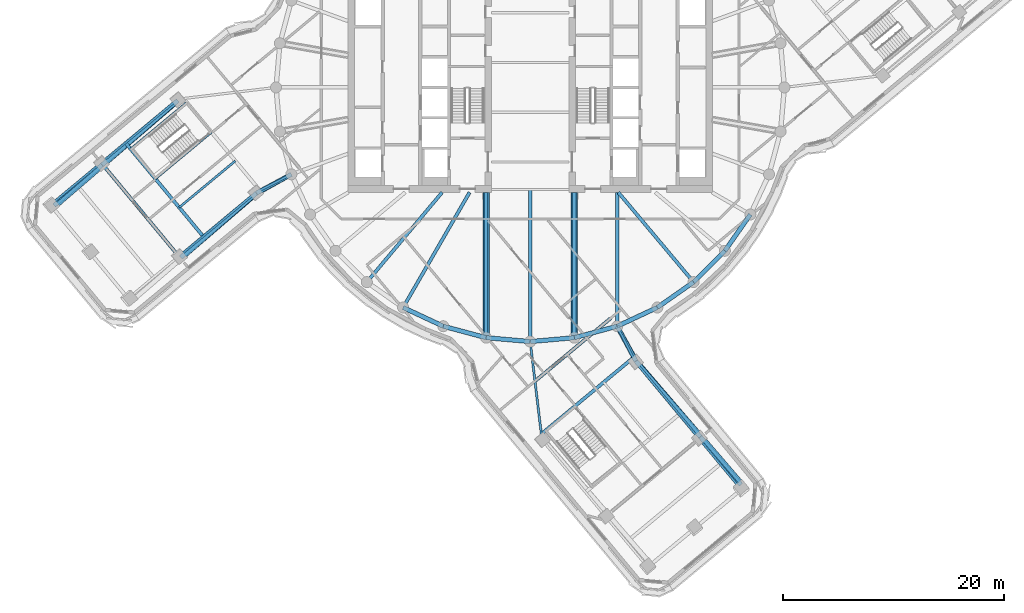
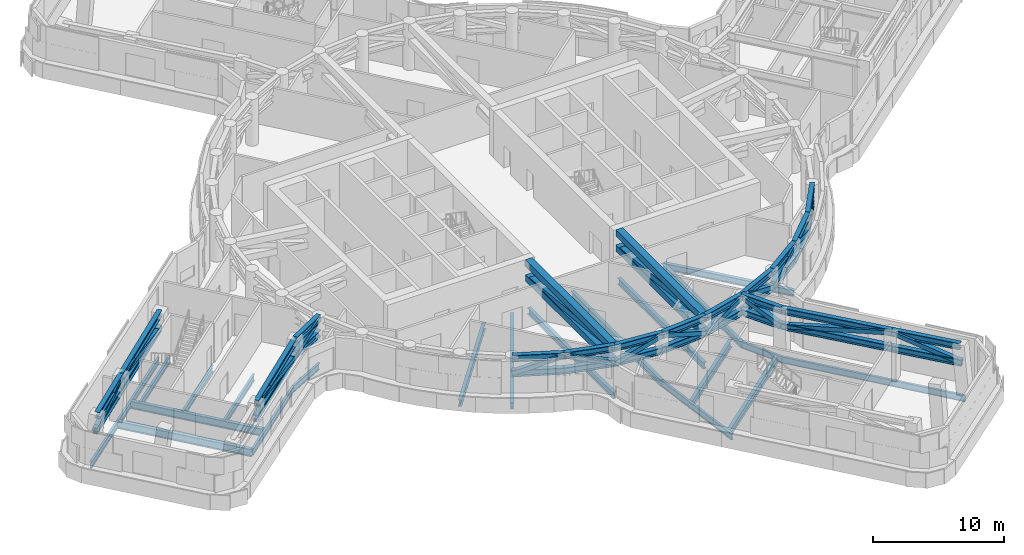
# One storey, part 2 of 22: 54 members, 22 beams.
"""IFC4 building model written with IfcOpenShell, lengths in metres."""

import ifcopenshell
import ifcopenshell.guid

model = None  # the IFC model being written
_history = None  # IfcOwnerHistory: only IFC2X3 demands one
_inside = {}  # id of a spatial element -> (the spatial element, [elements in it])
_under = {}  # id of a project, library or spatial element -> (it, [spatial elements below it])
_declared = {}  # id of a project -> (the project, [libraries it declares])
_typed = {}  # id of a type object -> (the type object, [elements of that type])
_made_of = {}  # id of a material, layer set ... -> (it, [elements and type objects made of it])


def new_model(schema):
    """Start an empty IFC model of exactly this schema.

    Asked for "IFC4X3", IfcOpenShell would pick the latest addendum, in which some entities
    have other attributes; the version numbers below select the first issue.
    IFC2X3 requires an IfcOwnerHistory on every rooted entity: one is made here for all.
    """
    global model, _history
    if schema == "IFC4X3":
        model = ifcopenshell.file(schema_version=(4, 3, 0, 0))
    else:
        model = ifcopenshell.file(schema=schema)
    _inside.clear()
    _under.clear()
    _declared.clear()
    _typed.clear()
    _made_of.clear()
    _history = None
    if model.schema == "IFC2X3":
        org = make("IfcOrganization", Name="unknown")
        user = make(
            "IfcPersonAndOrganization",
            ThePerson=make("IfcPerson", FamilyName="unknown"),
            TheOrganization=org,
        )
        app = make(
            "IfcApplication",
            ApplicationDeveloper=org,
            Version="unknown",
            ApplicationFullName="unknown",
            ApplicationIdentifier="unknown",
        )
        _history = make(
            "IfcOwnerHistory",
            OwningUser=user,
            OwningApplication=app,
            ChangeAction="ADDED",
            CreationDate=0,
        )
    return model


def make(cls, **values):
    """One entity of the class cls with the attributes given. An attribute that is None is left unset."""
    return model.create_entity(
        cls, **{name: value for name, value in values.items() if value is not None}
    )


def rooted(cls, **values):
    """An entity with a GlobalId (a new one), such as an element, a storey or a relation."""
    return make(cls, GlobalId=ifcopenshell.guid.new(), OwnerHistory=_history, **values)


def si_unit(unit_type, name, prefix=None):
    """IfcSIUnit, for example si_unit("LENGTHUNIT", "METRE", prefix="MILLI")."""
    return make("IfcSIUnit", UnitType=unit_type, Prefix=prefix, Name=name)


def assignment(units):
    """IfcUnitAssignment: the units of a project."""
    return None if units is None else make("IfcUnitAssignment", Units=units)


def point(xyz):
    """IfcCartesianPoint."""
    return None if xyz is None else make("IfcCartesianPoint", Coordinates=xyz)


def direction(xyz):
    """IfcDirection."""
    return None if xyz is None else make("IfcDirection", DirectionRatios=xyz)


def frame(location, z_axis=None, x_axis=None):
    """IfcAxis2Placement3D, a coordinate frame: its origin and axes. An axis left out is left unset."""
    return make(
        "IfcAxis2Placement3D",
        Location=point(location),
        Axis=direction(z_axis),
        RefDirection=direction(x_axis),
    )


def frame_2d(location, x_axis=None):
    """IfcAxis2Placement2D, a coordinate frame in the plane: its origin and x axis."""
    return make(
        "IfcAxis2Placement2D", Location=point(location), RefDirection=direction(x_axis)
    )


def origin():
    """The frame at (0, 0, 0) with its axes left unset."""
    return frame((0.0, 0.0, 0.0))


def origin_2d():
    """The frame at (0, 0) in the plane with its x axis left unset."""
    return frame_2d((0.0, 0.0))


def place(relative_to, where):
    """IfcLocalPlacement: puts the frame where relative to a parent placement (None: the world)."""
    return make(
        "IfcLocalPlacement", PlacementRelTo=relative_to, RelativePlacement=where
    )


def context(
    kind, dimensions, precision=None, world=None, true_north=None, identifier=None
):
    """IfcGeometricRepresentationContext, for example the 3D "Model" context."""
    return make(
        "IfcGeometricRepresentationContext",
        ContextIdentifier=identifier,
        ContextType=kind,
        CoordinateSpaceDimension=dimensions,
        Precision=precision,
        WorldCoordinateSystem=world,
        TrueNorth=true_north,
    )


def subcontext(parent, identifier, kind, view, scale=None):
    """IfcGeometricRepresentationSubContext, for example "Body" below "Model"."""
    return make(
        "IfcGeometricRepresentationSubContext",
        ContextIdentifier=identifier,
        ContextType=kind,
        ParentContext=parent,
        TargetScale=scale,
        TargetView=view,
    )


def project(units=None, contexts=None):
    """IfcProject with its units and contexts."""
    return rooted(
        "IfcProject",
        Name="project",
        RepresentationContexts=contexts,
        UnitsInContext=assignment(units),
    )


def spatial(cls, under=None, at=None, **own):
    """A site, building, storey or space (cls), placed at a placement, below another one or the project."""
    s = rooted(cls, ObjectPlacement=at, **own)
    if under is not None:
        _under.setdefault(under.id(), (under, []))[1].append(s)
    return s


def profile(cls, at=None, kind="AREA", **sizes):
    """A parametric profile (cls). Its sizes go by their IFC names, for example OverallWidth=200.0."""
    return make(cls, ProfileType=kind, Position=at, **sizes)


def hollow_rectangle(**sizes):
    """IfcRectangleHollowProfileDef."""
    return profile("IfcRectangleHollowProfileDef", **sizes)


def i_section(**sizes):
    """IfcIShapeProfileDef."""
    return profile("IfcIShapeProfileDef", **sizes)


def extrude(swept, where, along, depth):
    """IfcExtrudedAreaSolid: the profile swept, set in the frame where, extruded along a direction by depth."""
    return make(
        "IfcExtrudedAreaSolid",
        SweptArea=swept,
        Position=where,
        ExtrudedDirection=direction(along),
        Depth=depth,
    )


def shape(context_of_items, identifier, shape_type, items):
    """IfcShapeRepresentation: the items that make up one representation, for example the "Body"."""
    return make(
        "IfcShapeRepresentation",
        ContextOfItems=context_of_items,
        RepresentationIdentifier=identifier,
        RepresentationType=shape_type,
        Items=items,
    )


def material(Name=None, Category=None):
    """IfcMaterial."""
    return make("IfcMaterial", Name=Name, Category=Category)


def material_profile(
    of_material, cross_section, Name=None, Category=None, Priority=None
):
    """IfcMaterialProfile: a cross section and its material."""
    return make(
        "IfcMaterialProfile",
        Name=Name,
        Material=of_material,
        Profile=cross_section,
        Priority=Priority,
        Category=Category,
    )


def profile_set(profiles, Name=None, composite=None):
    """IfcMaterialProfileSet."""
    return make(
        "IfcMaterialProfileSet",
        Name=Name,
        MaterialProfiles=profiles,
        CompositeProfile=composite,
    )


def made_of(thing, what):
    """Note that an element or type object is made of a material, layer set ...; save() writes the relation."""
    if what is not None:
        _made_of.setdefault(what.id(), (what, []))[1].append(thing)
    return thing


def type_object(cls, material=None, **own):
    """A type object (cls), such as IfcWallType, which elements share."""
    return made_of(rooted(cls, **own), material)


def element(
    cls,
    number,
    at=None,
    inside=None,
    cuts=None,
    type_object=None,
    material=None,
    context=None,
    identifier="Body",
    shape_type=None,
    held_by="IfcProductDefinitionShape",
    body=None,
    shapes=None,
    **own,
):
    """One element of the class cls, such as IfcWall. Its Tag is "e" and its number.

    at: its placement. inside: the storey or other place that contains it. cuts: it is an
    opening in that element (IfcRelVoidsElement). A single representation is given by context,
    identifier, shape_type and body (its items); several are given by shapes. held_by: the class
    of the entity that holds the representations. save() writes the other relations.
    """
    e = rooted(cls, Tag="e%d" % number, ObjectPlacement=at, **own)
    if body is not None:
        shapes = [shape(context, identifier, shape_type, body)]
    if shapes is not None:
        e.Representation = make(held_by, Representations=shapes)
    if inside is not None:
        _inside.setdefault(inside.id(), (inside, []))[1].append(e)
    if cuts is not None:
        rooted(
            "IfcRelVoidsElement", RelatingBuildingElement=cuts, RelatedOpeningElement=e
        )
    if type_object is not None:
        _typed.setdefault(type_object.id(), (type_object, []))[1].append(e)
    return made_of(e, material)


def aggregate(whole, parts):
    """IfcRelAggregates: a whole, such as a stair, and the parts it consists of."""
    return rooted("IfcRelAggregates", RelatingObject=whole, RelatedObjects=parts)


def save(model, path):
    """Write the relations noted so far, then the file.

    IfcRelAggregates (storeys below a building ...), IfcRelContainedInSpatialStructure (elements
    in a storey), IfcRelDefinesByType, IfcRelAssociatesMaterial and IfcRelDeclares: one each for
    every whole, place, type object, material and project.
    """
    for whole, parts in _under.values():
        aggregate(whole, parts)
    for where, things in _inside.values():
        rooted(
            "IfcRelContainedInSpatialStructure",
            RelatedElements=things,
            RelatingStructure=where,
        )
    for kind, things in _typed.values():
        rooted("IfcRelDefinesByType", RelatedObjects=things, RelatingType=kind)
    for what, things in _made_of.values():
        rooted("IfcRelAssociatesMaterial", RelatedObjects=things, RelatingMaterial=what)
    for by, libraries in _declared.values():
        rooted("IfcRelDeclares", RelatingContext=by, RelatedDefinitions=libraries)
    model.write(path)


model = new_model("IFC4")

# Units and contexts
model_context = context("Model", 3, precision=1e-05, world=origin(), true_north=direction((0.0, 1.0)))
body_context = subcontext(model_context, "Body", "Model", "MODEL_VIEW")
ifc_project = project(units=[si_unit("LENGTHUNIT", "METRE"), si_unit("AREAUNIT", "SQUARE_METRE"), si_unit("VOLUMEUNIT", "CUBIC_METRE"), si_unit("PLANEANGLEUNIT", "RADIAN"), si_unit("MASSUNIT", "GRAM", prefix="KILO")], contexts=[model_context])

# Site, building, storey
site_placement = place(None, origin())
site = spatial("IfcSite", under=ifc_project, at=site_placement, CompositionType="ELEMENT")
building_placement = place(site_placement, origin())
building = spatial("IfcBuilding", under=site, at=building_placement, Name="Tamarind Cross Interchange Tower", CompositionType="ELEMENT")
storey_placement = place(building_placement, frame((0.0, 0.0, 178.0)))
storey = spatial("IfcBuildingStorey", under=building, at=storey_placement, Name="L44", CompositionType="ELEMENT", Elevation=178.0)

# Beams
ifc_material_1 = material(Name="Steel Q355B", Category="steel")
ifc_material_profile_1 = material_profile(ifc_material_1, i_section(OverallWidth=0.302001953125, OverallDepth=0.593994140625, WebThickness=0.013916015625, FlangeThickness=0.02294921875, FilletRadius=0.01806640625, at=origin_2d()), Name="HM 594x302x14x23")
ifc_profile_set_1 = profile_set([ifc_material_profile_1], Name="Steel Q355B")
beam_type_1 = type_object("IfcBeamType", Name="Composite beam HM 594x302x14x23 Q355B", PredefinedType="BEAM", material=ifc_profile_set_1)
beam_1_placement = place(storey_placement, frame((-14.7841796875, -17.619140625, -0.47705078125), z_axis=(0.642786293979, 0.766045547127, 0.0), x_axis=(-0.766045547127, 0.642786293979, 0.0)))
element("IfcBeam", 1, at=beam_1_placement, inside=storey, type_object=beam_type_1, Name="Beam HH23", PredefinedType="BEAM", context=body_context, shape_type="SweptSolid", body=[
    extrude(i_section(OverallWidth=0.302001953125, OverallDepth=0.593994140625, WebThickness=0.013916015625, FlangeThickness=0.02294921875, FilletRadius=0.01806640625, at=origin_2d()), origin(), (0.0, 0.0, 1.0), 10.598876953125),
])
beam_2_placement = place(storey_placement, frame((-11.5, -19.918701171875, -0.47705078125), z_axis=(0.499993565836, 0.866029118519, 0.0), x_axis=(-0.866029118519, 0.499993565836, 0.0)))
element("IfcBeam", 2, at=beam_2_placement, inside=storey, type_object=beam_type_1, Name="Beam HH24", PredefinedType="BEAM", context=body_context, shape_type="SweptSolid", body=[
    extrude(i_section(OverallWidth=0.302001953125, OverallDepth=0.593994140625, WebThickness=0.013916015625, FlangeThickness=0.02294921875, FilletRadius=0.01806640625, at=origin_2d()), origin(), (0.0, 0.0, 1.0), 12.030517578125),
])
beam_3_placement = place(storey_placement, frame((-3.993896484375, -22.650634765625, -0.47705078125), z_axis=(0.0, 1.0, 0.0), x_axis=(-1.0, 0.0, 0.0)))
element("IfcBeam", 3, at=beam_3_placement, inside=storey, type_object=beam_type_1, Name="Beam HH26", PredefinedType="BEAM", context=body_context, shape_type="SweptSolid", body=[
    extrude(i_section(OverallWidth=0.302001953125, OverallDepth=0.593994140625, WebThickness=0.013916015625, FlangeThickness=0.02294921875, FilletRadius=0.01806640625, at=origin_2d()), origin(), (0.0, 0.0, 1.0), 13.150634765625),
])
beam_4_placement = place(storey_placement, frame((0.0, -23.0, -0.47705078125), z_axis=(0.0, 1.0, 0.0), x_axis=(-1.0, 0.0, 0.0)))
element("IfcBeam", 4, at=beam_4_placement, inside=storey, type_object=beam_type_1, Name="Beam HH27", PredefinedType="BEAM", context=body_context, shape_type="SweptSolid", body=[
    extrude(i_section(OverallWidth=0.302001953125, OverallDepth=0.593994140625, WebThickness=0.013916015625, FlangeThickness=0.02294921875, FilletRadius=0.01806640625, at=origin_2d()), origin(), (0.0, 0.0, 1.0), 13.75),
])
beam_5_placement = place(storey_placement, frame((3.993896484375, -22.650634765625, -0.47705078125), z_axis=(0.0, 1.0, 0.0), x_axis=(-1.0, 0.0, 0.0)))
element("IfcBeam", 5, at=beam_5_placement, inside=storey, type_object=beam_type_1, Name="Beam HH28", PredefinedType="BEAM", context=body_context, shape_type="SweptSolid", body=[
    extrude(i_section(OverallWidth=0.302001953125, OverallDepth=0.593994140625, WebThickness=0.013916015625, FlangeThickness=0.02294921875, FilletRadius=0.01806640625, at=origin_2d()), origin(), (0.0, 0.0, 1.0), 13.150634765625),
])
beam_6_placement = place(storey_placement, frame((7.866455078125, -21.613037109375, -0.47705078125), z_axis=(0.0, 1.0, 0.0), x_axis=(-1.0, 0.0, 0.0)))
element("IfcBeam", 6, at=beam_6_placement, inside=storey, type_object=beam_type_1, Name="Beam HH29", PredefinedType="BEAM", context=body_context, shape_type="SweptSolid", body=[
    extrude(i_section(OverallWidth=0.302001953125, OverallDepth=0.593994140625, WebThickness=0.013916015625, FlangeThickness=0.02294921875, FilletRadius=0.01806640625, at=origin_2d()), origin(), (0.0, 0.0, 1.0), 12.113037109375),
])
beam_7_placement = place(storey_placement, frame((14.7841796875, -17.619140625, -0.47705078125), z_axis=(-0.642786293979, 0.766045547127, 0.0), x_axis=(-0.766045547127, -0.642786293979, 0.0)))
element("IfcBeam", 7, at=beam_7_placement, inside=storey, type_object=beam_type_1, Name="Beam HH31", PredefinedType="BEAM", context=body_context, shape_type="SweptSolid", body=[
    extrude(i_section(OverallWidth=0.302001953125, OverallDepth=0.593994140625, WebThickness=0.013916015625, FlangeThickness=0.02294921875, FilletRadius=0.01806640625, at=origin_2d()), origin(), (0.0, 0.0, 1.0), 10.598876953125),
])
ifc_material_profile_2 = material_profile(ifc_material_1, i_section(OverallWidth=0.199951171875, OverallDepth=0.60009765625, WebThickness=0.010986328125, FlangeThickness=0.01708984375, FilletRadius=0.012939453125, at=origin_2d()), Name="HN 600x200x11x17")
ifc_profile_set_2 = profile_set([ifc_material_profile_2], Name="Steel Q355B")
beam_type_2 = type_object("IfcBeamType", Name="Composite beam HN 600x200x11x17 Q355B", PredefinedType="BEAM", material=ifc_profile_set_2)
beam_8_placement = place(storey_placement, frame((19.095458984375, -36.388671875, -0.47998046875), z_axis=(-0.638803347594, 0.769370056022, 0.0), x_axis=(-0.769370056022, -0.638803347594, 0.0)))
element("IfcBeam", 8, at=beam_8_placement, inside=storey, type_object=beam_type_2, Name="Beam S-edgeep2", PredefinedType="BEAM", context=body_context, shape_type="SweptSolid", body=[
    extrude(i_section(OverallWidth=0.199951171875, OverallDepth=0.60009765625, WebThickness=0.010986328125, FlangeThickness=0.01708984375, FilletRadius=0.012939453125, at=origin_2d()), origin(), (0.0, 0.0, 1.0), 5.968505859375),
])
beam_9_placement = place(storey_placement, frame((15.28271484375, -31.796630859375, -0.47998046875), z_axis=(-0.638790523105, 0.769380703937, 0.0), x_axis=(-0.769380703937, -0.638790523105, 0.0)))
element("IfcBeam", 9, at=beam_9_placement, inside=storey, type_object=beam_type_2, Name="Beam S-edgeep3", PredefinedType="BEAM", context=body_context, shape_type="SweptSolid", body=[
    extrude(i_section(OverallWidth=0.199951171875, OverallDepth=0.60009765625, WebThickness=0.010986328125, FlangeThickness=0.01708984375, FilletRadius=0.012939453125, at=origin_2d()), origin(), (0.0, 0.0, 1.0), 8.999755859375),
])
beam_10_placement = place(storey_placement, frame((1.070556640625, -31.899169921875, -0.47998046875), z_axis=(-0.119437354929, 0.992841738772, 0.0), x_axis=(-0.992841738772, -0.119437354929, 0.0)))
element("IfcBeam", 10, at=beam_10_placement, inside=storey, type_object=beam_type_2, Name="Beam S-linkem", PredefinedType="BEAM", context=body_context, shape_type="SweptSolid", body=[
    extrude(i_section(OverallWidth=0.199951171875, OverallDepth=0.60009765625, WebThickness=0.010986328125, FlangeThickness=0.01708984375, FilletRadius=0.012939453125, at=origin_2d()), origin(), (0.0, 0.0, 1.0), 8.96337890625),
])
beam_11_placement = place(storey_placement, frame((9.53369140625, -24.872314453125, -0.47998046875), z_axis=(-0.455410658908, 0.890281490178, 0.0), x_axis=(-0.890281490178, -0.455410658908, 0.0)))
element("IfcBeam", 11, at=beam_11_placement, inside=storey, type_object=beam_type_2, Name="Beam S-linkep", PredefinedType="BEAM", context=body_context, shape_type="SweptSolid", body=[
    extrude(i_section(OverallWidth=0.199951171875, OverallDepth=0.60009765625, WebThickness=0.010986328125, FlangeThickness=0.01708984375, FilletRadius=0.012939453125, at=origin_2d()), origin(), (0.0, 0.0, 1.0), 3.660888671875),
])
beam_12_placement = place(storey_placement, frame((-43.41552734375, -10.63232421875, -0.47998046875), z_axis=(0.769370056022, 0.638803347594, 0.0), x_axis=(-0.638803347594, 0.769370056022, 0.0)))
element("IfcBeam", 12, at=beam_12_placement, inside=storey, type_object=beam_type_2, Name="Beam W-edgeem5", PredefinedType="BEAM", context=body_context, shape_type="SweptSolid", body=[
    extrude(i_section(OverallWidth=0.199951171875, OverallDepth=0.60009765625, WebThickness=0.010986328125, FlangeThickness=0.01708984375, FilletRadius=0.012939453125, at=origin_2d()), origin(), (0.0, 0.0, 1.0), 5.968505859375),
])
for number, where, z_axis, x_axis, name in (
    (13, (-38.823486328125, -6.819580078125, -0.47998046875), (0.769380703937, 0.638790523105, 0.0), (-0.638790523105, 0.769380703937, 0.0), "Beam W-edgeem6"),
    (14, (-31.796630859375, -15.28271484375, -0.47998046875), (0.769380703937, 0.638790523105, 0.0), (-0.638790523105, 0.769380703937, 0.0), "Beam W-edgeep3"),
):
    element("IfcBeam", number, at=place(storey_placement, frame(where, z_axis=z_axis, x_axis=x_axis)), inside=storey, type_object=beam_type_2, Name=name, PredefinedType="BEAM", context=body_context, shape_type="SweptSolid", body=[
        extrude(i_section(OverallWidth=0.199951171875, OverallDepth=0.60009765625, WebThickness=0.010986328125, FlangeThickness=0.01708984375, FilletRadius=0.012939453125, at=origin_2d()), origin(), (0.0, 0.0, 1.0), 8.999755859375),
    ])
beam_13_placement = place(storey_placement, frame((-24.872314453125, -9.53369140625, -0.47998046875), z_axis=(0.890281490178, 0.455410658908, 0.0), x_axis=(-0.455410658908, 0.890281490178, 0.0)))
element("IfcBeam", 15, at=beam_13_placement, inside=storey, type_object=beam_type_2, Name="Beam W-linkep", PredefinedType="BEAM", context=body_context, shape_type="SweptSolid", body=[
    extrude(i_section(OverallWidth=0.199951171875, OverallDepth=0.60009765625, WebThickness=0.010986328125, FlangeThickness=0.01708984375, FilletRadius=0.012939453125, at=origin_2d()), origin(), (0.0, 0.0, 1.0), 3.660888671875),
])
for number, where, z_axis, x_axis, name in (
    (16, (-31.073974609375, -1.360107421875, -0.47998046875), (-0.769375238735, -0.63879710552, 0.0), (0.63879710552, -0.769375238735, 0.0), "Beam W-tr0"),
    (17, (-28.838134765625, -4.052978515625, -0.47998046875), (-0.769375238735, -0.63879710552, 0.0), (0.63879710552, -0.769375238735, 0.0), "Beam W-tr1"),
    (18, (-26.68212890625, -6.6494140625, -0.47998046875), (-0.769375238735, -0.63879710552, 0.0), (0.63879710552, -0.769375238735, 0.0), "Beam W-stripp"),
):
    element("IfcBeam", number, at=place(storey_placement, frame(where, z_axis=z_axis, x_axis=x_axis)), inside=storey, type_object=beam_type_2, Name=name, PredefinedType="BEAM", context=body_context, shape_type="SweptSolid", body=[
        extrude(i_section(OverallWidth=0.199951171875, OverallDepth=0.60009765625, WebThickness=0.010986328125, FlangeThickness=0.01708984375, FilletRadius=0.012939453125, at=origin_2d()), origin(), (0.0, 0.0, 1.0), 6.60009765625),
    ])
ifc_material_profile_3 = material_profile(ifc_material_1, i_section(OverallWidth=0.300048828125, OverallDepth=0.699951171875, WebThickness=0.012939453125, FlangeThickness=0.02392578125, FilletRadius=0.01806640625, at=origin_2d()), Name="HN 700x300x13x24")
ifc_profile_set_3 = profile_set([ifc_material_profile_3], Name="Steel Q355B")
beam_type_3 = type_object("IfcBeamType", Name="Composite beam HN 700x300x13x24 Q355B", PredefinedType="BEAM", material=ifc_profile_set_3)
beam_14_placement = place(storey_placement, frame((1.006591796875, -31.367431640625, -0.530029296875), z_axis=(0.769367788137, 0.638806079007, 0.0), x_axis=(-0.638806079007, 0.769367788137, 0.0)))
element("IfcBeam", 19, at=beam_14_placement, inside=storey, type_object=beam_type_3, Name="Beam S-x298", PredefinedType="BEAM", context=body_context, shape_type="SweptSolid", body=[
    extrude(i_section(OverallWidth=0.300048828125, OverallDepth=0.699951171875, WebThickness=0.012939453125, FlangeThickness=0.02392578125, FilletRadius=0.01806640625, at=origin_2d()), origin(), (0.0, 0.0, 1.0), 10.81005859375),
])
for number, where, z_axis, x_axis, name in (
    (20, (-36.630859375, -4.9990234375, -0.530029296875), (0.638801484764, -0.769371602715, 0.0), (0.769371602715, 0.638801484764, 0.0), "Beam W-x364"),
    (21, (-38.823486328125, -6.819580078125, -0.530029296875), (0.638801484764, -0.769371602715, 0.0), (0.769371602715, 0.638801484764, 0.0), "Beam W-x393"),
):
    element("IfcBeam", number, at=place(storey_placement, frame(where, z_axis=z_axis, x_axis=x_axis)), inside=storey, type_object=beam_type_3, Name=name, PredefinedType="BEAM", context=body_context, shape_type="SweptSolid", body=[
        extrude(i_section(OverallWidth=0.300048828125, OverallDepth=0.699951171875, WebThickness=0.012939453125, FlangeThickness=0.02392578125, FilletRadius=0.01806640625, at=origin_2d()), origin(), (0.0, 0.0, 1.0), 11.0),
    ])
beam_15_placement = place(storey_placement, frame((0.430908203125, -26.581298828125, -0.530029296875), z_axis=(0.769371958793, 0.638801055904, 0.0), x_axis=(-0.638801055904, 0.769371958793, 0.0)))
element("IfcBeam", 22, at=beam_15_placement, inside=storey, type_object=beam_type_3, Name="Beam S-x258", PredefinedType="BEAM", context=body_context, shape_type="SweptSolid", body=[
    extrude(i_section(OverallWidth=0.300048828125, OverallDepth=0.699951171875, WebThickness=0.012939453125, FlangeThickness=0.02392578125, FilletRadius=0.01806640625, at=origin_2d()), origin(), (0.0, 0.0, 1.0), 8.89453125),
])

# Members
ifc_material_2 = material(Name="Steel Q420B", Category="steel")
ifc_material_profile_4 = material_profile(ifc_material_2, i_section(OverallWidth=0.39990234375, OverallDepth=0.60009765625, WebThickness=0.02490234375, FlangeThickness=0.0400390625, at=origin_2d()), Name="BH 600x400x25x40")
ifc_profile_set_4 = profile_set([ifc_material_profile_4], Name="Steel Q420B")
member_type_1 = type_object("IfcMemberType", Name="Truss chord BH 600x400x25x40 Q420B", PredefinedType="CHORD", material=ifc_profile_set_4)
for number, where, z_axis, x_axis, name in (
    (23, (-11.5, -19.918701171875, 4.06005859375), (0.906309113636, -0.422615416827, 0.0), (0.422615416827, 0.906309113636, 0.0), "Belt truss ring top H24"),
    (24, (-11.5, -19.918701171875, 2.64990234375), (0.906309113636, -0.422615416827, 0.0), (0.422615416827, 0.906309113636, 0.0), "Belt truss ring bottom H24"),
):
    element("IfcMember", number, at=place(storey_placement, frame(where, z_axis=z_axis, x_axis=x_axis)), inside=storey, type_object=member_type_1, Name=name, PredefinedType="CHORD", context=body_context, shape_type="SweptSolid", body=[
        extrude(i_section(OverallWidth=0.39990234375, OverallDepth=0.60009765625, WebThickness=0.02490234375, FlangeThickness=0.0400390625, at=origin_2d()), origin(), (0.0, 0.0, 1.0), 4.00927734375),
    ])
for number, where, z_axis, x_axis, name in (
    (25, (-7.866455078125, -21.613037109375, 4.06005859375), (0.96592902462, -0.258807108475, 0.0), (0.258807108475, 0.96592902462, 0.0), "Belt truss ring top H25"),
    (26, (-7.866455078125, -21.613037109375, 2.64990234375), (0.96592902462, -0.258807108475, 0.0), (0.258807108475, 0.96592902462, 0.0), "Belt truss ring bottom H25"),
    (27, (-3.993896484375, -22.650634765625, 4.06005859375), (0.996195898445, -0.087142021558, 0.0), (0.087142021558, 0.996195898445, 0.0), "Belt truss ring top H26"),
    (28, (-3.993896484375, -22.650634765625, 2.64990234375), (0.996195898445, -0.087142021558, 0.0), (0.087142021558, 0.996195898445, 0.0), "Belt truss ring bottom H26"),
    (29, (0.0, -23.0, 4.06005859375), (0.996195898445, 0.087142021558, 0.0), (-0.087142021558, 0.996195898445, 0.0), "Belt truss ring top H27"),
    (30, (0.0, -23.0, 2.64990234375), (0.996195898445, 0.087142021558, 0.0), (-0.087142021558, 0.996195898445, 0.0), "Belt truss ring bottom H27"),
    (31, (3.993896484375, -22.650634765625, 4.06005859375), (0.96592902462, 0.258807108475, 0.0), (-0.258807108475, 0.96592902462, 0.0), "Belt truss ring top H28"),
    (32, (3.993896484375, -22.650634765625, 2.64990234375), (0.96592902462, 0.258807108475, 0.0), (-0.258807108475, 0.96592902462, 0.0), "Belt truss ring bottom H28"),
):
    element("IfcMember", number, at=place(storey_placement, frame(where, z_axis=z_axis, x_axis=x_axis)), inside=storey, type_object=member_type_1, Name=name, PredefinedType="CHORD", context=body_context, shape_type="SweptSolid", body=[
        extrude(i_section(OverallWidth=0.39990234375, OverallDepth=0.60009765625, WebThickness=0.02490234375, FlangeThickness=0.0400390625, at=origin_2d()), origin(), (0.0, 0.0, 1.0), 4.009033203125),
    ])
for number, where, z_axis, x_axis, name in (
    (33, (7.866455078125, -21.613037109375, 4.06005859375), (0.906309113636, 0.422615416827, 0.0), (-0.422615416827, 0.906309113636, 0.0), "Belt truss ring top H29"),
    (34, (7.866455078125, -21.613037109375, 2.64990234375), (0.906309113636, 0.422615416827, 0.0), (-0.422615416827, 0.906309113636, 0.0), "Belt truss ring bottom H29"),
    (35, (11.5, -19.918701171875, 4.06005859375), (0.819157531998, 0.573568599011, 0.0), (-0.573568599011, 0.819157531998, 0.0), "Belt truss ring top H30"),
    (36, (11.5, -19.918701171875, 2.64990234375), (0.819157531998, 0.573568599011, 0.0), (-0.573568599011, 0.819157531998, 0.0), "Belt truss ring bottom H30"),
    (37, (14.7841796875, -17.619140625, 4.06005859375), (0.707106781187, 0.707106781187, 0.0), (-0.707106781187, 0.707106781187, 0.0), "Belt truss ring top H31"),
    (38, (14.7841796875, -17.619140625, 2.64990234375), (0.707106781187, 0.707106781187, 0.0), (-0.707106781187, 0.707106781187, 0.0), "Belt truss ring bottom H31"),
    (39, (17.619140625, -14.7841796875, 4.06005859375), (0.573568599011, 0.819157531998, 0.0), (-0.819157531998, 0.573568599011, 0.0), "Belt truss ring top H32"),
    (40, (17.619140625, -14.7841796875, 2.64990234375), (0.573568599011, 0.819157531998, 0.0), (-0.819157531998, 0.573568599011, 0.0), "Belt truss ring bottom H32"),
):
    element("IfcMember", number, at=place(storey_placement, frame(where, z_axis=z_axis, x_axis=x_axis)), inside=storey, type_object=member_type_1, Name=name, PredefinedType="CHORD", context=body_context, shape_type="SweptSolid", body=[
        extrude(i_section(OverallWidth=0.39990234375, OverallDepth=0.60009765625, WebThickness=0.02490234375, FlangeThickness=0.0400390625, at=origin_2d()), origin(), (0.0, 0.0, 1.0), 4.00927734375),
    ])
for number, where, z_axis, x_axis, name in (
    (41, (-31.534912109375, -15.447265625, 4.06005859375), (0.758375062563, 0.651818429076, 0.0), (-0.651818429076, 0.758375062563, 0.0), "Belt truss arm Wep top"),
    (42, (-31.6220703125, -15.392578125, 2.64990234375), (0.762062459943, 0.647503519022, 0.0), (-0.647503519022, 0.762062459943, 0.0), "Belt truss arm Wep bottom"),
):
    element("IfcMember", number, at=place(storey_placement, frame(where, z_axis=z_axis, x_axis=x_axis)), inside=storey, type_object=member_type_1, Name=name, PredefinedType="CHORD", context=body_context, shape_type="SweptSolid", body=[
        extrude(i_section(OverallWidth=0.39990234375, OverallDepth=0.60009765625, WebThickness=0.02490234375, FlangeThickness=0.0400390625, at=origin_2d()), origin(), (0.0, 0.0, 1.0), 8.999755859375),
    ])
member_1_placement = place(storey_placement, frame((-24.709716796875, -9.5810546875, 4.06005859375), z_axis=(0.874849366312, 0.484395072501, 0.0), x_axis=(-0.484395072501, 0.874849366312, 0.0)))
element("IfcMember", 43, at=member_1_placement, inside=storey, type_object=member_type_1, Name="Belt truss arm Wep top", PredefinedType="CHORD", context=body_context, shape_type="SweptSolid", body=[
    extrude(i_section(OverallWidth=0.39990234375, OverallDepth=0.60009765625, WebThickness=0.02490234375, FlangeThickness=0.0400390625, at=origin_2d()), origin(), (0.0, 0.0, 1.0), 3.53955078125),
])
member_2_placement = place(storey_placement, frame((-24.763671875, -9.565185546875, 2.64990234375), z_axis=(0.880210341347, 0.474583770251, 0.0), x_axis=(-0.474583770251, 0.880210341347, 0.0)))
element("IfcMember", 44, at=member_2_placement, inside=storey, type_object=member_type_1, Name="Belt truss arm Wep bottom", PredefinedType="CHORD", context=body_context, shape_type="SweptSolid", body=[
    extrude(i_section(OverallWidth=0.39990234375, OverallDepth=0.60009765625, WebThickness=0.02490234375, FlangeThickness=0.0400390625, at=origin_2d()), origin(), (0.0, 0.0, 1.0), 3.579345703125),
])
member_3_placement = place(storey_placement, frame((-42.908935546875, -10.7177734375, 4.06005859375), z_axis=(0.758450779302, 0.651730324119, 0.0), x_axis=(-0.651730324119, 0.758450779302, 0.0)))
element("IfcMember", 45, at=member_3_placement, inside=storey, type_object=member_type_1, Name="Belt truss arm Wem top", PredefinedType="CHORD", context=body_context, shape_type="SweptSolid", body=[
    extrude(i_section(OverallWidth=0.39990234375, OverallDepth=0.60009765625, WebThickness=0.02490234375, FlangeThickness=0.0400390625, at=origin_2d()), origin(), (0.0, 0.0, 1.0), 5.54296875),
])
member_4_placement = place(storey_placement, frame((-43.077392578125, -10.689208984375, 2.64990234375), z_axis=(0.76229527867, 0.647229409188, 0.0), x_axis=(-0.647229409188, 0.76229527867, 0.0)))
element("IfcMember", 46, at=member_4_placement, inside=storey, type_object=member_type_1, Name="Belt truss arm Wem bottom", PredefinedType="CHORD", context=body_context, shape_type="SweptSolid", body=[
    extrude(i_section(OverallWidth=0.39990234375, OverallDepth=0.60009765625, WebThickness=0.02490234375, FlangeThickness=0.0400390625, at=origin_2d()), origin(), (0.0, 0.0, 1.0), 5.68408203125),
])
member_5_placement = place(storey_placement, frame((-38.704833984375, -7.105224609375, 4.06005859375), z_axis=(0.758386587773, 0.651805019531, 0.0), x_axis=(-0.651805019531, 0.758386587773, 0.0)))
element("IfcMember", 47, at=member_5_placement, inside=storey, type_object=member_type_1, Name="Belt truss arm Wem top", PredefinedType="CHORD", context=body_context, shape_type="SweptSolid", body=[
    extrude(i_section(OverallWidth=0.39990234375, OverallDepth=0.60009765625, WebThickness=0.02490234375, FlangeThickness=0.0400390625, at=origin_2d()), origin(), (0.0, 0.0, 1.0), 9.0),
])
member_6_placement = place(storey_placement, frame((-38.744384765625, -7.01025390625, 2.64990234375), z_axis=(0.762062459943, 0.647503519022, 0.0), x_axis=(-0.647503519022, 0.762062459943, 0.0)))
element("IfcMember", 48, at=member_6_placement, inside=storey, type_object=member_type_1, Name="Belt truss arm Wem bottom", PredefinedType="CHORD", context=body_context, shape_type="SweptSolid", body=[
    extrude(i_section(OverallWidth=0.39990234375, OverallDepth=0.60009765625, WebThickness=0.02490234375, FlangeThickness=0.0400390625, at=origin_2d()), origin(), (0.0, 0.0, 1.0), 8.999755859375),
])
member_7_placement = place(storey_placement, frame((19.059814453125, -35.739013671875, 4.06005859375), z_axis=(-0.651730324119, 0.758450779302, 0.0), x_axis=(-0.758450779302, -0.651730324119, 0.0)))
element("IfcMember", 49, at=member_7_placement, inside=storey, type_object=member_type_1, Name="Belt truss arm Sep top", PredefinedType="CHORD", context=body_context, shape_type="SweptSolid", body=[
    extrude(i_section(OverallWidth=0.39990234375, OverallDepth=0.60009765625, WebThickness=0.02490234375, FlangeThickness=0.0400390625, at=origin_2d()), origin(), (0.0, 0.0, 1.0), 5.54296875),
])
member_8_placement = place(storey_placement, frame((19.07177734375, -35.955078125, 2.64990234375), z_axis=(-0.64725436675, 0.762274087663, 0.0), x_axis=(-0.762274087663, -0.64725436675, 0.0)))
element("IfcMember", 50, at=member_8_placement, inside=storey, type_object=member_type_1, Name="Belt truss arm Sep bottom", PredefinedType="CHORD", context=body_context, shape_type="SweptSolid", body=[
    extrude(i_section(OverallWidth=0.39990234375, OverallDepth=0.60009765625, WebThickness=0.02490234375, FlangeThickness=0.0400390625, at=origin_2d()), origin(), (0.0, 0.0, 1.0), 5.684326171875),
])
for number, where, z_axis, x_axis, name in (
    (51, (15.447265625, -31.534912109375, 4.06005859375), (-0.651818429076, 0.758375062563, 0.0), (-0.758375062563, -0.651818429076, 0.0), "Belt truss arm Sep top"),
    (52, (15.392578125, -31.6220703125, 2.64990234375), (-0.647503519022, 0.762062459943, 0.0), (-0.762062459943, -0.647503519022, 0.0), "Belt truss arm Sep bottom"),
):
    element("IfcMember", number, at=place(storey_placement, frame(where, z_axis=z_axis, x_axis=x_axis)), inside=storey, type_object=member_type_1, Name=name, PredefinedType="CHORD", context=body_context, shape_type="SweptSolid", body=[
        extrude(i_section(OverallWidth=0.39990234375, OverallDepth=0.60009765625, WebThickness=0.02490234375, FlangeThickness=0.0400390625, at=origin_2d()), origin(), (0.0, 0.0, 1.0), 8.999755859375),
    ])
member_9_placement = place(storey_placement, frame((9.5810546875, -24.709716796875, 4.06005859375), z_axis=(-0.484395072501, 0.874849366312, 0.0), x_axis=(-0.874849366312, -0.484395072501, 0.0)))
element("IfcMember", 53, at=member_9_placement, inside=storey, type_object=member_type_1, Name="Belt truss arm Sep top", PredefinedType="CHORD", context=body_context, shape_type="SweptSolid", body=[
    extrude(i_section(OverallWidth=0.39990234375, OverallDepth=0.60009765625, WebThickness=0.02490234375, FlangeThickness=0.0400390625, at=origin_2d()), origin(), (0.0, 0.0, 1.0), 3.53955078125),
])
member_10_placement = place(storey_placement, frame((9.565185546875, -24.763671875, 2.64990234375), z_axis=(-0.474583770251, 0.880210341347, 0.0), x_axis=(-0.880210341347, -0.474583770251, 0.0)))
element("IfcMember", 54, at=member_10_placement, inside=storey, type_object=member_type_1, Name="Belt truss arm Sep bottom", PredefinedType="CHORD", context=body_context, shape_type="SweptSolid", body=[
    extrude(i_section(OverallWidth=0.39990234375, OverallDepth=0.60009765625, WebThickness=0.02490234375, FlangeThickness=0.0400390625, at=origin_2d()), origin(), (0.0, 0.0, 1.0), 3.579345703125),
])
ifc_material_profile_5 = material_profile(ifc_material_2, hollow_rectangle(XDim=0.60009765625, YDim=0.60009765625, WallThickness=0.0400390625, at=origin_2d()), Name="BOX 600x600x40")
ifc_profile_set_5 = profile_set([ifc_material_profile_5], Name="Steel Q420B")
member_type_2 = type_object("IfcMemberType", Name="Truss chord BOX 600x600x40 Q420B", PredefinedType="CHORD", material=ifc_profile_set_5)
for number, where, z_axis, x_axis, name in (
    (55, (-3.993896484375, -9.5, 4.06005859375), (0.0, -1.0, 0.0), (1.0, 0.0, 0.0), "Outrigger truss H26 top"),
    (56, (-3.993896484375, -9.5, 2.64990234375), (0.0, -1.0, 0.0), (1.0, 0.0, 0.0), "Outrigger truss H26 bottom"),
    (57, (3.993896484375, -9.5, 4.06005859375), (0.0, -1.0, 0.0), (1.0, 0.0, 0.0), "Outrigger truss H28 top"),
    (58, (3.993896484375, -9.5, 2.64990234375), (0.0, -1.0, 0.0), (1.0, 0.0, 0.0), "Outrigger truss H28 bottom"),
):
    element("IfcMember", number, at=place(storey_placement, frame(where, z_axis=z_axis, x_axis=x_axis)), inside=storey, type_object=member_type_2, Name=name, PredefinedType="CHORD", context=body_context, shape_type="SweptSolid", body=[
        extrude(hollow_rectangle(XDim=0.60009765625, YDim=0.60009765625, WallThickness=0.0400390625, at=origin_2d()), origin(), (0.0, 0.0, 1.0), 13.150634765625),
    ])
ifc_material_profile_6 = material_profile(ifc_material_2, hollow_rectangle(XDim=0.39990234375, YDim=0.39990234375, WallThickness=0.02490234375, at=origin_2d()), Name="BOX 400x400x25")
ifc_profile_set_6 = profile_set([ifc_material_profile_6], Name="Steel Q420B")
member_type_3 = type_object("IfcMemberType", Name="Truss diagonal BOX 400x400x25 Q420B", PredefinedType="BRACE", material=ifc_profile_set_6)
for number, where, z_axis, x_axis, name in (
    (59, (-11.5, -19.918701171875, 2.64990234375), (0.854964440887, -0.398673198935, 0.33180639727), (0.422615416827, 0.906309113636, 0.0), "Belt truss ring diagonal H24"),
    (60, (-7.866455078125, -21.613037109375, 4.06005859375), (0.911206410564, -0.244144953026, -0.33180735263), (0.258807108475, 0.96592902462, 0.0), "Belt truss ring diagonal H25"),
    (61, (-3.993896484375, -22.650634765625, 2.64990234375), (0.939758407255, -0.082205164178, 0.331807846464), (0.087142021558, 0.996195898445, 0.0), "Belt truss ring diagonal H26"),
    (62, (0.0, -23.0, 4.06005859375), (0.939758407255, 0.082205164178, -0.331807846464), (-0.087142021558, 0.996195898445, 0.0), "Belt truss ring diagonal H27"),
    (63, (3.993896484375, -22.650634765625, 2.64990234375), (0.911206410564, 0.244144953026, 0.33180735263), (-0.258807108475, 0.96592902462, 0.0), "Belt truss ring diagonal H28"),
    (64, (7.866455078125, -21.613037109375, 4.06005859375), (0.854964440887, 0.398673198935, -0.33180639727), (-0.422615416827, 0.906309113636, 0.0), "Belt truss ring diagonal H29"),
    (65, (11.5, -19.918701171875, 2.64990234375), (0.772751251109, 0.541075232991, 0.331802797086), (-0.573568599011, 0.819157531998, 0.0), "Belt truss ring diagonal H30"),
    (66, (14.7841796875, -17.619140625, 4.06005859375), (0.667048751873, 0.667048751873, -0.331801032623), (-0.707106781187, 0.707106781187, 0.0), "Belt truss ring diagonal H31"),
    (67, (17.619140625, -14.7841796875, 2.64990234375), (0.541075232991, 0.772751251109, 0.331802797086), (-0.819157531998, 0.573568599011, 0.0), "Belt truss ring diagonal H32"),
):
    element("IfcMember", number, at=place(storey_placement, frame(where, z_axis=z_axis, x_axis=x_axis)), inside=storey, type_object=member_type_3, Name=name, PredefinedType="BRACE", context=body_context, shape_type="SweptSolid", body=[
        extrude(hollow_rectangle(XDim=0.39990234375, YDim=0.39990234375, WallThickness=0.02490234375, at=origin_2d()), origin(), (0.0, 0.0, 1.0), 4.25),
    ])
member_11_placement = place(storey_placement, frame((-31.534912109375, -15.447265625, 4.06005859375), z_axis=(0.745773361805, 0.647842711591, -0.155312310719), x_axis=(-0.655800576782, 0.754934171629, 0.0)))
element("IfcMember", 68, at=member_11_placement, inside=storey, type_object=member_type_3, Name="Belt truss arm Wep diagonal", PredefinedType="BRACE", context=body_context, shape_type="SweptSolid", body=[
    extrude(hollow_rectangle(XDim=0.39990234375, YDim=0.39990234375, WallThickness=0.02490234375, at=origin_2d()), origin(), (0.0, 0.0, 1.0), 9.07958984375),
])
member_12_placement = place(storey_placement, frame((-24.763671875, -9.565185546875, 2.64990234375), z_axis=(0.818948443962, 0.441553140108, 0.366543681699), x_axis=(-0.474583770251, 0.880210341347, 0.0)))
element("IfcMember", 69, at=member_12_placement, inside=storey, type_object=member_type_3, Name="Belt truss arm Wep diagonal", PredefinedType="BRACE", context=body_context, shape_type="SweptSolid", body=[
    extrude(hollow_rectangle(XDim=0.39990234375, YDim=0.39990234375, WallThickness=0.02490234375, at=origin_2d()), origin(), (0.0, 0.0, 1.0), 3.84716796875),
])
member_13_placement = place(storey_placement, frame((-43.077392578125, -10.689208984375, 2.64990234375), z_axis=(0.750409181088, 0.615075755353, 0.242008008373), x_axis=(-0.633919486324, 0.773399046326, 0.0)))
element("IfcMember", 70, at=member_13_placement, inside=storey, type_object=member_type_3, Name="Belt truss arm Wem diagonal", PredefinedType="BRACE", context=body_context, shape_type="SweptSolid", body=[
    extrude(hollow_rectangle(XDim=0.39990234375, YDim=0.39990234375, WallThickness=0.02490234375, at=origin_2d()), origin(), (0.0, 0.0, 1.0), 5.826904296875),
])
member_14_placement = place(storey_placement, frame((-38.704833984375, -7.105224609375, 4.06005859375), z_axis=(0.745955264664, 0.647883380244, -0.154265578543), x_axis=(-0.655732884359, 0.754992969748, 0.0)))
element("IfcMember", 71, at=member_14_placement, inside=storey, type_object=member_type_3, Name="Belt truss arm Wem diagonal", PredefinedType="BRACE", context=body_context, shape_type="SweptSolid", body=[
    extrude(hollow_rectangle(XDim=0.39990234375, YDim=0.39990234375, WallThickness=0.02490234375, at=origin_2d()), origin(), (0.0, 0.0, 1.0), 9.14111328125),
])
member_15_placement = place(storey_placement, frame((19.07177734375, -35.955078125, 2.64990234375), z_axis=(-0.615620882933, 0.750762231274, 0.239514092673), x_axis=(-0.773269884635, -0.634077034371, 0.0)))
element("IfcMember", 72, at=member_15_placement, inside=storey, type_object=member_type_3, Name="Belt truss arm Sep diagonal", PredefinedType="BRACE", context=body_context, shape_type="SweptSolid", body=[
    extrude(hollow_rectangle(XDim=0.39990234375, YDim=0.39990234375, WallThickness=0.02490234375, at=origin_2d()), origin(), (0.0, 0.0, 1.0), 5.887451171875),
])
member_16_placement = place(storey_placement, frame((15.447265625, -31.534912109375, 4.06005859375), z_axis=(-0.647842711591, 0.745773361805, -0.155312310719), x_axis=(-0.754934171629, -0.655800576782, 0.0)))
element("IfcMember", 73, at=member_16_placement, inside=storey, type_object=member_type_3, Name="Belt truss arm Sep diagonal", PredefinedType="BRACE", context=body_context, shape_type="SweptSolid", body=[
    extrude(hollow_rectangle(XDim=0.39990234375, YDim=0.39990234375, WallThickness=0.02490234375, at=origin_2d()), origin(), (0.0, 0.0, 1.0), 9.07958984375),
])
member_17_placement = place(storey_placement, frame((9.565185546875, -24.763671875, 2.64990234375), z_axis=(-0.441553140108, 0.818948443962, 0.366543681699), x_axis=(-0.880210341347, -0.474583770251, 0.0)))
element("IfcMember", 74, at=member_17_placement, inside=storey, type_object=member_type_3, Name="Belt truss arm Sep diagonal", PredefinedType="BRACE", context=body_context, shape_type="SweptSolid", body=[
    extrude(hollow_rectangle(XDim=0.39990234375, YDim=0.39990234375, WallThickness=0.02490234375, at=origin_2d()), origin(), (0.0, 0.0, 1.0), 3.84716796875),
])
ifc_material_profile_7 = material_profile(ifc_material_2, hollow_rectangle(XDim=0.5, YDim=0.5, WallThickness=0.030029296875, at=origin_2d()), Name="BOX 500x500x30")
ifc_profile_set_7 = profile_set([ifc_material_profile_7], Name="Steel Q420B")
member_type_4 = type_object("IfcMemberType", Name="Truss diagonal BOX 500x500x30 Q420B", PredefinedType="BRACE", material=ifc_profile_set_7)
for number, where, z_axis, x_axis, name in (
    (75, (-3.993896484375, -9.5, 2.64990234375), (0.0, -0.994299862393, 0.106619808877), (1.0, 0.0, 0.0), "Outrigger truss H26 diagonal"),
    (76, (3.993896484375, -9.5, 2.64990234375), (0.0, -0.994299862393, 0.106619808877), (1.0, 0.0, 0.0), "Outrigger truss H28 diagonal"),
):
    element("IfcMember", number, at=place(storey_placement, frame(where, z_axis=z_axis, x_axis=x_axis)), inside=storey, type_object=member_type_4, Name=name, PredefinedType="BRACE", context=body_context, shape_type="SweptSolid", body=[
        extrude(hollow_rectangle(XDim=0.5, YDim=0.5, WallThickness=0.030029296875, at=origin_2d()), origin(), (0.0, 0.0, 1.0), 13.22607421875),
    ])

save(model, "model.ifc")
